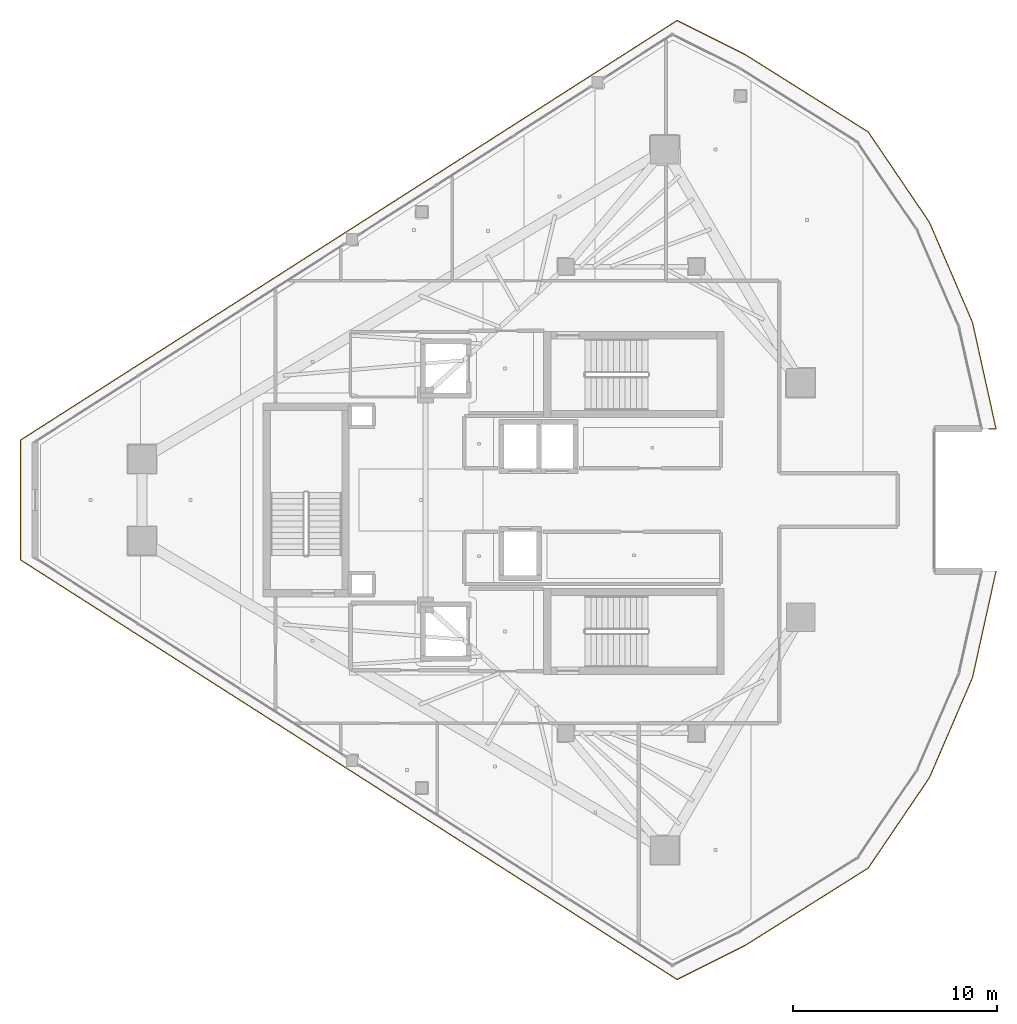
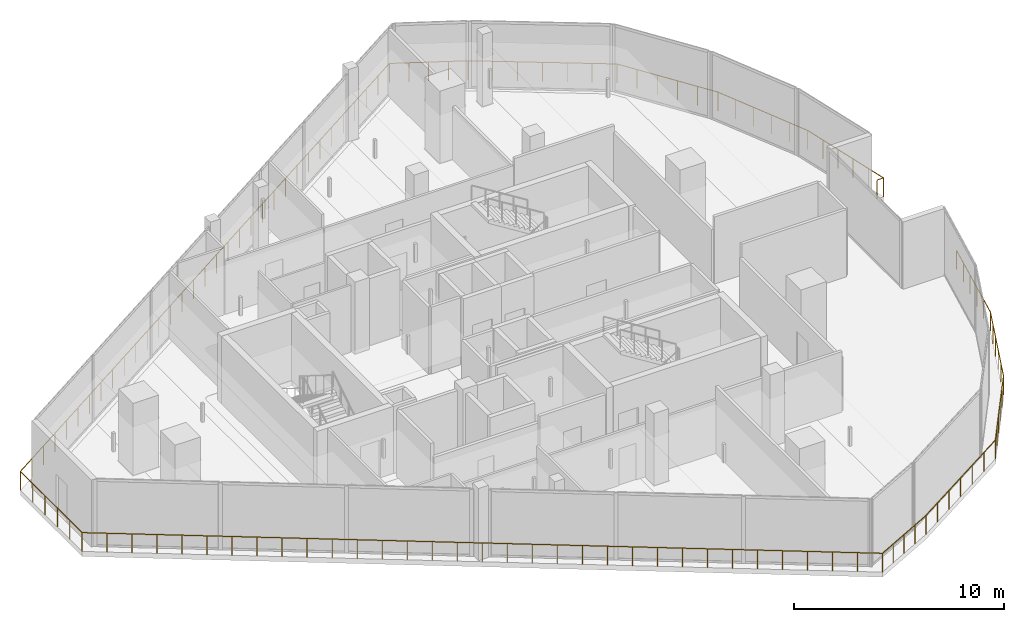
# One storey, part 23 of 25: 1 railing.
"""IFC4 building model written with IfcOpenShell, lengths in metres."""

from ifc_helpers import new_model, si_unit, direction, frame, origin, origin_2d, place, context, subcontext, project, spatial, circle, extrude, material, type_object, element, save


model = new_model("IFC4")

# Units and contexts
model_context = context("Model", 3, precision=1e-05, world=origin(), true_north=direction((0.0, 1.0)))
body_context = subcontext(model_context, "Body", "Model", "MODEL_VIEW")
ifc_project = project(units=[si_unit("LENGTHUNIT", "METRE"), si_unit("AREAUNIT", "SQUARE_METRE"), si_unit("VOLUMEUNIT", "CUBIC_METRE"), si_unit("PLANEANGLEUNIT", "RADIAN"), si_unit("MASSUNIT", "GRAM", prefix="KILO")], contexts=[model_context])

# Site, building, storey
site_placement = place(None, origin())
site = spatial("IfcSite", under=ifc_project, at=site_placement, CompositionType="ELEMENT")
building_placement = place(site_placement, origin())
building = spatial("IfcBuilding", under=site, at=building_placement, Name="Qorvath Tower", CompositionType="ELEMENT")
storey_placement = place(building_placement, frame((0.0, 0.0, 297.60009765625)))
storey = spatial("IfcBuildingStorey", under=building, at=storey_placement, Name="L69", CompositionType="ELEMENT", Elevation=297.60009765625)

# Railing
ifc_material = material(Name="Laminated safety glass and stainless steel AISI 316", Category="steel")
railing_type = type_object("IfcRailingType", Name="RL-EXT-GRD", PredefinedType="GUARDRAIL", material=ifc_material)
railing_placement = place(storey_placement, frame((-2.50048828125, -3.493896484375, 0.0)))
element("IfcRailing", 1, at=railing_placement, inside=storey, type_object=railing_type, Name="Loggia Perimeter Guardrail L69-1.1", PredefinedType="GUARDRAIL", context=body_context, shape_type="SweptSolid", body=[
    extrude(circle(Radius=0.02392578125, at=origin_2d()), frame((0.0, 0.0, 1.09619140625), z_axis=(-0.216075147015, -0.976376736123, 0.0), x_axis=(0.976376736123, -0.216075147015, 0.0)), (0.0, 0.0, 1.0), 5.35009765625),
    extrude(circle(Radius=0.02392578125, at=origin_2d()), frame((-1.156005859375, -5.2236328125, 1.09619140625), z_axis=(-0.395488290808, -0.918471018505, 0.0), x_axis=(0.918471018505, -0.395488290808, 0.0)), (0.0, 0.0, 1.0), 5.350341796875),
    extrude(circle(Radius=0.02392578125, at=origin_2d()), frame((-3.27197265625, -10.1376953125, 1.09619140625), z_axis=(-0.560835027925, -0.827927576212, 0.0), x_axis=(0.827927576212, -0.560835027925, 0.0)), (0.0, 0.0, 1.0), 5.35009765625),
    extrude(circle(Radius=0.02392578125, at=origin_2d()), frame((-6.2724609375, -14.567138671875, 1.09619140625), z_axis=(-0.846491184379, -0.532402737378, 0.0), x_axis=(0.532402737378, -0.846491184379, 0.0)), (0.0, 0.0, 1.0), 7.114501953125),
    extrude(circle(Radius=0.02392578125, at=origin_2d()), frame((-12.294921875, -18.35498046875, 1.09619140625), z_axis=(-0.894427191, -0.4472135955, 0.0), x_axis=(0.4472135955, -0.894427191, 0.0)), (0.0, 0.0, 1.0), 3.758056640625),
    extrude(circle(Radius=0.02392578125, at=origin_2d()), frame((-15.65625, -20.03564453125, 1.09619140625), z_axis=(-0.84260409625, 0.538533505906, 0.0), x_axis=(-0.538533505906, -0.84260409625, 0.0)), (0.0, 0.0, 1.0), 38.23046875),
    extrude(circle(Radius=0.02392578125, at=origin_2d()), frame((-47.869384765625, 0.552734375, 1.09619140625), z_axis=(0.0, 1.0, 0.0), x_axis=(-1.0, 0.0, 0.0)), (0.0, 0.0, 1.0), 5.88232421875),
    extrude(circle(Radius=0.02392578125, at=origin_2d()), frame((-47.869384765625, 6.43505859375, 1.09619140625), z_axis=(0.84260409625, 0.538533505906, 0.0), x_axis=(-0.538533505906, 0.84260409625, 0.0)), (0.0, 0.0, 1.0), 38.23046875),
    extrude(circle(Radius=0.02392578125, at=origin_2d()), frame((-15.65625, 27.0234375, 1.09619140625), z_axis=(0.894427191, -0.4472135955, 0.0), x_axis=(0.4472135955, 0.894427191, 0.0)), (0.0, 0.0, 1.0), 3.758056640625),
    extrude(circle(Radius=0.02392578125, at=origin_2d()), frame((-12.294921875, 25.3427734375, 1.09619140625), z_axis=(0.846491184379, -0.532402737378, 0.0), x_axis=(0.532402737378, 0.846491184379, 0.0)), (0.0, 0.0, 1.0), 7.114501953125),
    extrude(circle(Radius=0.02392578125, at=origin_2d()), frame((-6.2724609375, 21.554931640625, 1.09619140625), z_axis=(0.560835027925, -0.827927576212, 0.0), x_axis=(0.827927576212, 0.560835027925, 0.0)), (0.0, 0.0, 1.0), 5.35009765625),
    extrude(circle(Radius=0.02392578125, at=origin_2d()), frame((-3.27197265625, 17.12548828125, 1.09619140625), z_axis=(0.395488290808, -0.918471018505, 0.0), x_axis=(0.918471018505, 0.395488290808, 0.0)), (0.0, 0.0, 1.0), 5.350341796875),
    extrude(circle(Radius=0.02392578125, at=origin_2d()), frame((-1.156005859375, 12.21142578125, 1.09619140625), z_axis=(0.216075147015, -0.976376736123, 0.0), x_axis=(0.976376736123, 0.216075147015, 0.0)), (0.0, 0.0, 1.0), 5.35009765625),
    extrude(circle(Radius=0.02392578125, at=origin_2d()), frame((0.0, 6.98779296875, 1.09619140625), z_axis=(-1.0, 0.0, 0.0), x_axis=(0.0, -1.0, 0.0)), (0.0, 0.0, 1.0), 0.35400390625),
    extrude(circle(Radius=0.02099609375, at=origin_2d()), origin(), (0.0, 0.0, 1.0), 1.072021484375),
    extrude(circle(Radius=0.02099609375, at=origin_2d()), frame((-0.231201171875, -1.044677734375, 0.0)), (0.0, 0.0, 1.0), 1.072021484375),
    extrude(circle(Radius=0.02099609375, at=origin_2d()), frame((-0.46240234375, -2.08935546875, 0.0)), (0.0, 0.0, 1.0), 1.072021484375),
    extrude(circle(Radius=0.02099609375, at=origin_2d()), frame((-0.693603515625, -3.13427734375, 0.0)), (0.0, 0.0, 1.0), 1.072021484375),
    extrude(circle(Radius=0.02099609375, at=origin_2d()), frame((-0.9248046875, -4.178955078125, 0.0)), (0.0, 0.0, 1.0), 1.072021484375),
    extrude(circle(Radius=0.02099609375, at=origin_2d()), frame((-1.156005859375, -5.2236328125, 0.0)), (0.0, 0.0, 1.0), 1.072021484375),
    extrude(circle(Radius=0.02099609375, at=origin_2d()), frame((-1.5791015625, -6.20654296875, 0.0)), (0.0, 0.0, 1.0), 1.072021484375),
    extrude(circle(Radius=0.02099609375, at=origin_2d()), frame((-2.00244140625, -7.189208984375, 0.0)), (0.0, 0.0, 1.0), 1.072021484375),
    extrude(circle(Radius=0.02099609375, at=origin_2d()), frame((-2.425537109375, -8.172119140625, 0.0)), (0.0, 0.0, 1.0), 1.072021484375),
    extrude(circle(Radius=0.02099609375, at=origin_2d()), frame((-2.848876953125, -9.15478515625, 0.0)), (0.0, 0.0, 1.0), 1.072021484375),
    extrude(circle(Radius=0.02099609375, at=origin_2d()), frame((-3.27197265625, -10.1376953125, 0.0)), (0.0, 0.0, 1.0), 1.072021484375),
    extrude(circle(Radius=0.02099609375, at=origin_2d()), frame((-3.8720703125, -11.023681640625, 0.0)), (0.0, 0.0, 1.0), 1.072021484375),
    extrude(circle(Radius=0.02099609375, at=origin_2d()), frame((-4.47216796875, -11.909423828125, 0.0)), (0.0, 0.0, 1.0), 1.072021484375),
    extrude(circle(Radius=0.02099609375, at=origin_2d()), frame((-5.072265625, -12.79541015625, 0.0)), (0.0, 0.0, 1.0), 1.072021484375),
    extrude(circle(Radius=0.02099609375, at=origin_2d()), frame((-5.67236328125, -13.68115234375, 0.0)), (0.0, 0.0, 1.0), 1.072021484375),
    extrude(circle(Radius=0.02099609375, at=origin_2d()), frame((-6.2724609375, -14.567138671875, 0.0)), (0.0, 0.0, 1.0), 1.072021484375),
    extrude(circle(Radius=0.02099609375, at=origin_2d()), frame((-7.276123046875, -15.198486328125, 0.0)), (0.0, 0.0, 1.0), 1.072021484375),
    extrude(circle(Radius=0.02099609375, at=origin_2d()), frame((-8.280029296875, -15.829833984375, 0.0)), (0.0, 0.0, 1.0), 1.072021484375),
    extrude(circle(Radius=0.02099609375, at=origin_2d()), frame((-9.28369140625, -16.4609375, 0.0)), (0.0, 0.0, 1.0), 1.072021484375),
    extrude(circle(Radius=0.02099609375, at=origin_2d()), frame((-10.287353515625, -17.09228515625, 0.0)), (0.0, 0.0, 1.0), 1.072021484375),
    extrude(circle(Radius=0.02099609375, at=origin_2d()), frame((-11.291259765625, -17.7236328125, 0.0)), (0.0, 0.0, 1.0), 1.072021484375),
    extrude(circle(Radius=0.02099609375, at=origin_2d()), frame((-12.294921875, -18.35498046875, 0.0)), (0.0, 0.0, 1.0), 1.072021484375),
    extrude(circle(Radius=0.02099609375, at=origin_2d()), frame((-13.13525390625, -18.775146484375, 0.0)), (0.0, 0.0, 1.0), 1.072021484375),
    extrude(circle(Radius=0.02099609375, at=origin_2d()), frame((-13.9755859375, -19.1953125, 0.0)), (0.0, 0.0, 1.0), 1.072021484375),
    extrude(circle(Radius=0.02099609375, at=origin_2d()), frame((-14.81591796875, -19.615478515625, 0.0)), (0.0, 0.0, 1.0), 1.072021484375),
    extrude(circle(Radius=0.02099609375, at=origin_2d()), frame((-15.65625, -20.03564453125, 0.0)), (0.0, 0.0, 1.0), 1.072021484375),
    extrude(circle(Radius=0.02099609375, at=origin_2d()), frame((-16.662841796875, -19.392333984375, 0.0)), (0.0, 0.0, 1.0), 1.072021484375),
    extrude(circle(Radius=0.02099609375, at=origin_2d()), frame((-17.669677734375, -18.748779296875, 0.0)), (0.0, 0.0, 1.0), 1.072021484375),
    extrude(circle(Radius=0.02099609375, at=origin_2d()), frame((-18.67626953125, -18.10546875, 0.0)), (0.0, 0.0, 1.0), 1.072021484375),
    extrude(circle(Radius=0.02099609375, at=origin_2d()), frame((-19.682861328125, -17.462158203125, 0.0)), (0.0, 0.0, 1.0), 1.072021484375),
    extrude(circle(Radius=0.02099609375, at=origin_2d()), frame((-20.689453125, -16.818603515625, 0.0)), (0.0, 0.0, 1.0), 1.072021484375),
    extrude(circle(Radius=0.02099609375, at=origin_2d()), frame((-21.6962890625, -16.17529296875, 0.0)), (0.0, 0.0, 1.0), 1.072021484375),
    extrude(circle(Radius=0.02099609375, at=origin_2d()), frame((-22.702880859375, -15.531982421875, 0.0)), (0.0, 0.0, 1.0), 1.072021484375),
    extrude(circle(Radius=0.02099609375, at=origin_2d()), frame((-23.70947265625, -14.888671875, 0.0)), (0.0, 0.0, 1.0), 1.072021484375),
    extrude(circle(Radius=0.02099609375, at=origin_2d()), frame((-24.71630859375, -14.2451171875, 0.0)), (0.0, 0.0, 1.0), 1.072021484375),
    extrude(circle(Radius=0.02099609375, at=origin_2d()), frame((-25.722900390625, -13.601806640625, 0.0)), (0.0, 0.0, 1.0), 1.072021484375),
    extrude(circle(Radius=0.02099609375, at=origin_2d()), frame((-26.7294921875, -12.95849609375, 0.0)), (0.0, 0.0, 1.0), 1.072021484375),
    extrude(circle(Radius=0.02099609375, at=origin_2d()), frame((-27.736083984375, -12.31494140625, 0.0)), (0.0, 0.0, 1.0), 1.072021484375),
    extrude(circle(Radius=0.02099609375, at=origin_2d()), frame((-28.742919921875, -11.671630859375, 0.0)), (0.0, 0.0, 1.0), 1.072021484375),
    extrude(circle(Radius=0.02099609375, at=origin_2d()), frame((-29.74951171875, -11.0283203125, 0.0)), (0.0, 0.0, 1.0), 1.072021484375),
    extrude(circle(Radius=0.02099609375, at=origin_2d()), frame((-30.756103515625, -10.384765625, 0.0)), (0.0, 0.0, 1.0), 1.072021484375),
    extrude(circle(Radius=0.02099609375, at=origin_2d()), frame((-31.7626953125, -9.741455078125, 0.0)), (0.0, 0.0, 1.0), 1.072021484375),
    extrude(circle(Radius=0.02099609375, at=origin_2d()), frame((-32.76953125, -9.09814453125, 0.0)), (0.0, 0.0, 1.0), 1.072021484375),
    extrude(circle(Radius=0.02099609375, at=origin_2d()), frame((-33.776123046875, -8.45458984375, 0.0)), (0.0, 0.0, 1.0), 1.072021484375),
    extrude(circle(Radius=0.02099609375, at=origin_2d()), frame((-34.78271484375, -7.811279296875, 0.0)), (0.0, 0.0, 1.0), 1.072021484375),
    extrude(circle(Radius=0.02099609375, at=origin_2d()), frame((-35.78955078125, -7.16796875, 0.0)), (0.0, 0.0, 1.0), 1.072021484375),
    extrude(circle(Radius=0.02099609375, at=origin_2d()), frame((-36.796142578125, -6.5244140625, 0.0)), (0.0, 0.0, 1.0), 1.072021484375),
    extrude(circle(Radius=0.02099609375, at=origin_2d()), frame((-37.802734375, -5.881103515625, 0.0)), (0.0, 0.0, 1.0), 1.072021484375),
    extrude(circle(Radius=0.02099609375, at=origin_2d()), frame((-38.809326171875, -5.23779296875, 0.0)), (0.0, 0.0, 1.0), 1.072021484375),
    extrude(circle(Radius=0.02099609375, at=origin_2d()), frame((-39.816162109375, -4.59423828125, 0.0)), (0.0, 0.0, 1.0), 1.072021484375),
    extrude(circle(Radius=0.02099609375, at=origin_2d()), frame((-40.82275390625, -3.950927734375, 0.0)), (0.0, 0.0, 1.0), 1.072021484375),
    extrude(circle(Radius=0.02099609375, at=origin_2d()), frame((-41.829345703125, -3.3076171875, 0.0)), (0.0, 0.0, 1.0), 1.072021484375),
    extrude(circle(Radius=0.02099609375, at=origin_2d()), frame((-42.836181640625, -2.664306640625, 0.0)), (0.0, 0.0, 1.0), 1.072021484375),
    extrude(circle(Radius=0.02099609375, at=origin_2d()), frame((-43.8427734375, -2.020751953125, 0.0)), (0.0, 0.0, 1.0), 1.072021484375),
    extrude(circle(Radius=0.02099609375, at=origin_2d()), frame((-44.849365234375, -1.37744140625, 0.0)), (0.0, 0.0, 1.0), 1.072021484375),
    extrude(circle(Radius=0.02099609375, at=origin_2d()), frame((-45.85595703125, -0.734130859375, 0.0)), (0.0, 0.0, 1.0), 1.072021484375),
    extrude(circle(Radius=0.02099609375, at=origin_2d()), frame((-46.86279296875, -0.090576171875, 0.0)), (0.0, 0.0, 1.0), 1.072021484375),
    extrude(circle(Radius=0.02099609375, at=origin_2d()), frame((-47.869384765625, 0.552734375, 0.0)), (0.0, 0.0, 1.0), 1.072021484375),
    extrude(circle(Radius=0.02099609375, at=origin_2d()), frame((-47.869384765625, 1.729248046875, 0.0)), (0.0, 0.0, 1.0), 1.072021484375),
    extrude(circle(Radius=0.02099609375, at=origin_2d()), frame((-47.869384765625, 2.90576171875, 0.0)), (0.0, 0.0, 1.0), 1.072021484375),
    extrude(circle(Radius=0.02099609375, at=origin_2d()), frame((-47.869384765625, 4.08203125, 0.0)), (0.0, 0.0, 1.0), 1.072021484375),
    extrude(circle(Radius=0.02099609375, at=origin_2d()), frame((-47.869384765625, 5.258544921875, 0.0)), (0.0, 0.0, 1.0), 1.072021484375),
    extrude(circle(Radius=0.02099609375, at=origin_2d()), frame((-47.869384765625, 6.43505859375, 0.0)), (0.0, 0.0, 1.0), 1.072021484375),
    extrude(circle(Radius=0.02099609375, at=origin_2d()), frame((-46.86279296875, 7.078369140625, 0.0)), (0.0, 0.0, 1.0), 1.072021484375),
    extrude(circle(Radius=0.02099609375, at=origin_2d()), frame((-45.85595703125, 7.721923828125, 0.0)), (0.0, 0.0, 1.0), 1.072021484375),
    extrude(circle(Radius=0.02099609375, at=origin_2d()), frame((-44.849365234375, 8.365234375, 0.0)), (0.0, 0.0, 1.0), 1.072021484375),
    extrude(circle(Radius=0.02099609375, at=origin_2d()), frame((-43.8427734375, 9.008544921875, 0.0)), (0.0, 0.0, 1.0), 1.072021484375),
    extrude(circle(Radius=0.02099609375, at=origin_2d()), frame((-42.836181640625, 9.652099609375, 0.0)), (0.0, 0.0, 1.0), 1.072021484375),
    extrude(circle(Radius=0.02099609375, at=origin_2d()), frame((-41.829345703125, 10.29541015625, 0.0)), (0.0, 0.0, 1.0), 1.072021484375),
    extrude(circle(Radius=0.02099609375, at=origin_2d()), frame((-40.82275390625, 10.938720703125, 0.0)), (0.0, 0.0, 1.0), 1.072021484375),
    extrude(circle(Radius=0.02099609375, at=origin_2d()), frame((-39.816162109375, 11.58203125, 0.0)), (0.0, 0.0, 1.0), 1.072021484375),
    extrude(circle(Radius=0.02099609375, at=origin_2d()), frame((-38.809326171875, 12.2255859375, 0.0)), (0.0, 0.0, 1.0), 1.072021484375),
    extrude(circle(Radius=0.02099609375, at=origin_2d()), frame((-37.802734375, 12.868896484375, 0.0)), (0.0, 0.0, 1.0), 1.072021484375),
    extrude(circle(Radius=0.02099609375, at=origin_2d()), frame((-36.796142578125, 13.51220703125, 0.0)), (0.0, 0.0, 1.0), 1.072021484375),
    extrude(circle(Radius=0.02099609375, at=origin_2d()), frame((-35.78955078125, 14.15576171875, 0.0)), (0.0, 0.0, 1.0), 1.072021484375),
    extrude(circle(Radius=0.02099609375, at=origin_2d()), frame((-34.78271484375, 14.799072265625, 0.0)), (0.0, 0.0, 1.0), 1.072021484375),
    extrude(circle(Radius=0.02099609375, at=origin_2d()), frame((-33.776123046875, 15.4423828125, 0.0)), (0.0, 0.0, 1.0), 1.072021484375),
    extrude(circle(Radius=0.02099609375, at=origin_2d()), frame((-32.76953125, 16.0859375, 0.0)), (0.0, 0.0, 1.0), 1.072021484375),
    extrude(circle(Radius=0.02099609375, at=origin_2d()), frame((-31.7626953125, 16.729248046875, 0.0)), (0.0, 0.0, 1.0), 1.072021484375),
    extrude(circle(Radius=0.02099609375, at=origin_2d()), frame((-30.756103515625, 17.37255859375, 0.0)), (0.0, 0.0, 1.0), 1.072021484375),
    extrude(circle(Radius=0.02099609375, at=origin_2d()), frame((-29.74951171875, 18.01611328125, 0.0)), (0.0, 0.0, 1.0), 1.072021484375),
    extrude(circle(Radius=0.02099609375, at=origin_2d()), frame((-28.742919921875, 18.659423828125, 0.0)), (0.0, 0.0, 1.0), 1.072021484375),
    extrude(circle(Radius=0.02099609375, at=origin_2d()), frame((-27.736083984375, 19.302734375, 0.0)), (0.0, 0.0, 1.0), 1.072021484375),
    extrude(circle(Radius=0.02099609375, at=origin_2d()), frame((-26.7294921875, 19.9462890625, 0.0)), (0.0, 0.0, 1.0), 1.072021484375),
    extrude(circle(Radius=0.02099609375, at=origin_2d()), frame((-25.722900390625, 20.589599609375, 0.0)), (0.0, 0.0, 1.0), 1.072021484375),
    extrude(circle(Radius=0.02099609375, at=origin_2d()), frame((-24.71630859375, 21.23291015625, 0.0)), (0.0, 0.0, 1.0), 1.072021484375),
    extrude(circle(Radius=0.02099609375, at=origin_2d()), frame((-23.70947265625, 21.87646484375, 0.0)), (0.0, 0.0, 1.0), 1.072021484375),
    extrude(circle(Radius=0.02099609375, at=origin_2d()), frame((-22.702880859375, 22.519775390625, 0.0)), (0.0, 0.0, 1.0), 1.072021484375),
    extrude(circle(Radius=0.02099609375, at=origin_2d()), frame((-21.6962890625, 23.1630859375, 0.0)), (0.0, 0.0, 1.0), 1.072021484375),
    extrude(circle(Radius=0.02099609375, at=origin_2d()), frame((-20.689453125, 23.806396484375, 0.0)), (0.0, 0.0, 1.0), 1.072021484375),
    extrude(circle(Radius=0.02099609375, at=origin_2d()), frame((-19.682861328125, 24.449951171875, 0.0)), (0.0, 0.0, 1.0), 1.072021484375),
    extrude(circle(Radius=0.02099609375, at=origin_2d()), frame((-18.67626953125, 25.09326171875, 0.0)), (0.0, 0.0, 1.0), 1.072021484375),
    extrude(circle(Radius=0.02099609375, at=origin_2d()), frame((-17.669677734375, 25.736572265625, 0.0)), (0.0, 0.0, 1.0), 1.072021484375),
    extrude(circle(Radius=0.02099609375, at=origin_2d()), frame((-16.662841796875, 26.380126953125, 0.0)), (0.0, 0.0, 1.0), 1.072021484375),
    extrude(circle(Radius=0.02099609375, at=origin_2d()), frame((-15.65625, 27.0234375, 0.0)), (0.0, 0.0, 1.0), 1.072021484375),
    extrude(circle(Radius=0.02099609375, at=origin_2d()), frame((-14.81591796875, 26.603271484375, 0.0)), (0.0, 0.0, 1.0), 1.072021484375),
    extrude(circle(Radius=0.02099609375, at=origin_2d()), frame((-13.9755859375, 26.18310546875, 0.0)), (0.0, 0.0, 1.0), 1.072021484375),
    extrude(circle(Radius=0.02099609375, at=origin_2d()), frame((-13.13525390625, 25.762939453125, 0.0)), (0.0, 0.0, 1.0), 1.072021484375),
    extrude(circle(Radius=0.02099609375, at=origin_2d()), frame((-12.294921875, 25.3427734375, 0.0)), (0.0, 0.0, 1.0), 1.072021484375),
    extrude(circle(Radius=0.02099609375, at=origin_2d()), frame((-11.291259765625, 24.71142578125, 0.0)), (0.0, 0.0, 1.0), 1.072021484375),
    extrude(circle(Radius=0.02099609375, at=origin_2d()), frame((-10.287353515625, 24.080078125, 0.0)), (0.0, 0.0, 1.0), 1.072021484375),
    extrude(circle(Radius=0.02099609375, at=origin_2d()), frame((-9.28369140625, 23.44873046875, 0.0)), (0.0, 0.0, 1.0), 1.072021484375),
    extrude(circle(Radius=0.02099609375, at=origin_2d()), frame((-8.280029296875, 22.817626953125, 0.0)), (0.0, 0.0, 1.0), 1.072021484375),
    extrude(circle(Radius=0.02099609375, at=origin_2d()), frame((-7.276123046875, 22.186279296875, 0.0)), (0.0, 0.0, 1.0), 1.072021484375),
    extrude(circle(Radius=0.02099609375, at=origin_2d()), frame((-6.2724609375, 21.554931640625, 0.0)), (0.0, 0.0, 1.0), 1.072021484375),
    extrude(circle(Radius=0.02099609375, at=origin_2d()), frame((-5.67236328125, 20.6689453125, 0.0)), (0.0, 0.0, 1.0), 1.072021484375),
    extrude(circle(Radius=0.02099609375, at=origin_2d()), frame((-5.072265625, 19.783203125, 0.0)), (0.0, 0.0, 1.0), 1.072021484375),
    extrude(circle(Radius=0.02099609375, at=origin_2d()), frame((-4.47216796875, 18.897216796875, 0.0)), (0.0, 0.0, 1.0), 1.072021484375),
    extrude(circle(Radius=0.02099609375, at=origin_2d()), frame((-3.8720703125, 18.011474609375, 0.0)), (0.0, 0.0, 1.0), 1.072021484375),
    extrude(circle(Radius=0.02099609375, at=origin_2d()), frame((-3.27197265625, 17.12548828125, 0.0)), (0.0, 0.0, 1.0), 1.072021484375),
    extrude(circle(Radius=0.02099609375, at=origin_2d()), frame((-2.848876953125, 16.142578125, 0.0)), (0.0, 0.0, 1.0), 1.072021484375),
    extrude(circle(Radius=0.02099609375, at=origin_2d()), frame((-2.425537109375, 15.159912109375, 0.0)), (0.0, 0.0, 1.0), 1.072021484375),
    extrude(circle(Radius=0.02099609375, at=origin_2d()), frame((-2.00244140625, 14.177001953125, 0.0)), (0.0, 0.0, 1.0), 1.072021484375),
    extrude(circle(Radius=0.02099609375, at=origin_2d()), frame((-1.5791015625, 13.1943359375, 0.0)), (0.0, 0.0, 1.0), 1.072021484375),
    extrude(circle(Radius=0.02099609375, at=origin_2d()), frame((-1.156005859375, 12.21142578125, 0.0)), (0.0, 0.0, 1.0), 1.072021484375),
    extrude(circle(Radius=0.02099609375, at=origin_2d()), frame((-0.9248046875, 11.166748046875, 0.0)), (0.0, 0.0, 1.0), 1.072021484375),
    extrude(circle(Radius=0.02099609375, at=origin_2d()), frame((-0.693603515625, 10.1220703125, 0.0)), (0.0, 0.0, 1.0), 1.072021484375),
    extrude(circle(Radius=0.02099609375, at=origin_2d()), frame((-0.46240234375, 9.0771484375, 0.0)), (0.0, 0.0, 1.0), 1.072021484375),
    extrude(circle(Radius=0.02099609375, at=origin_2d()), frame((-0.231201171875, 8.032470703125, 0.0)), (0.0, 0.0, 1.0), 1.072021484375),
    extrude(circle(Radius=0.02099609375, at=origin_2d()), frame((0.0, 6.98779296875, 0.0)), (0.0, 0.0, 1.0), 1.072021484375),
    extrude(circle(Radius=0.02099609375, at=origin_2d()), frame((-0.35400390625, 6.98779296875, 0.0)), (0.0, 0.0, 1.0), 1.072021484375),
])

save(model, "model.ifc")
